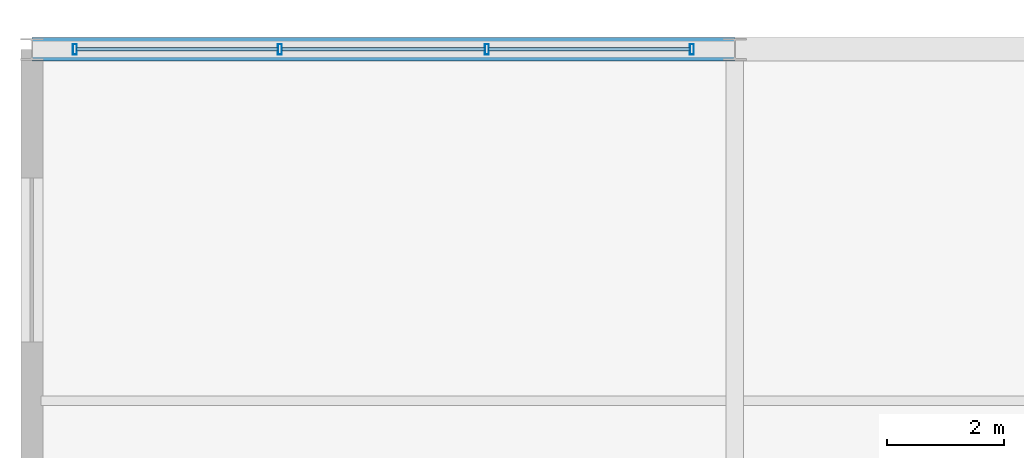
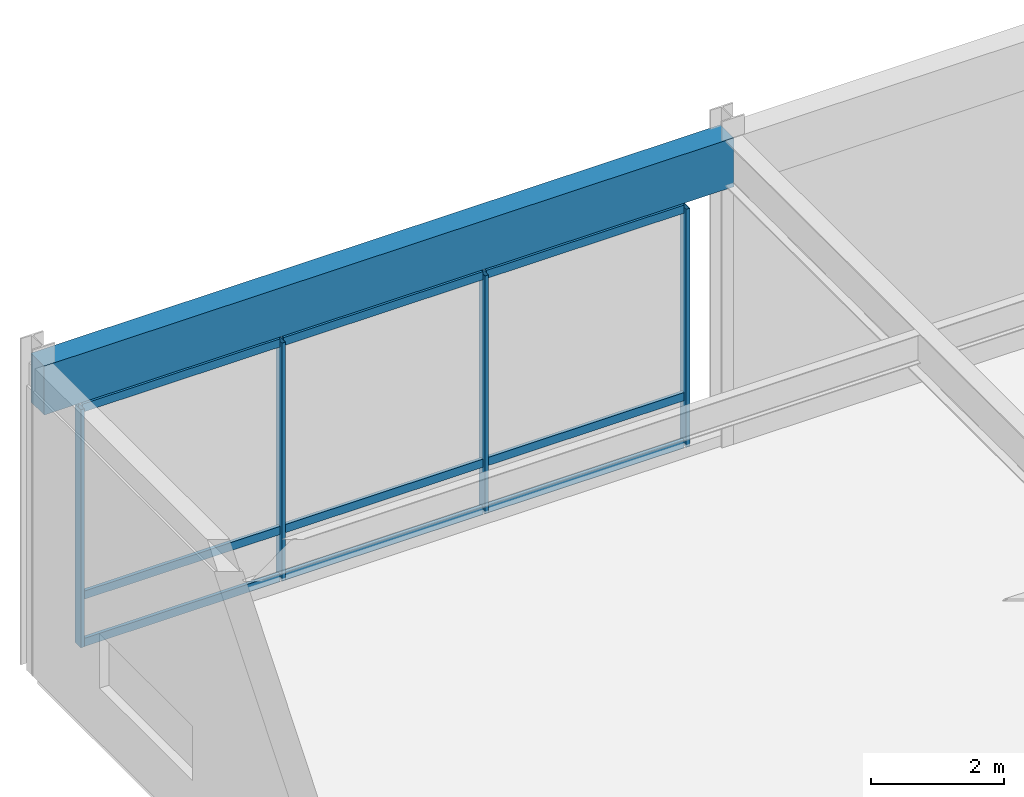
# One storey, part 43 of 108: 13 members, 1 beam, 1 element without a shape of its own.
"""IFC4 building model written with IfcOpenShell, lengths in metres."""

from ifc_helpers import new_model, si_unit, direction, frame, origin, origin_2d, place, context, subcontext, project, spatial, rectangle, hollow_rectangle, extrude, material, material_profile, profile_set, type_object, element, aggregate, save


model = new_model("IFC4")

# Units and contexts
model_context = context("Model", 3, precision=1e-05, world=origin(), true_north=direction((0.0, 1.0)))
body_context = subcontext(model_context, "Body", "Model", "MODEL_VIEW")
ifc_project = project(units=[si_unit("LENGTHUNIT", "METRE"), si_unit("AREAUNIT", "SQUARE_METRE"), si_unit("VOLUMEUNIT", "CUBIC_METRE"), si_unit("PLANEANGLEUNIT", "RADIAN"), si_unit("MASSUNIT", "GRAM", prefix="KILO")], contexts=[model_context])

# Site, building, storey
site_placement = place(None, origin())
site = spatial("IfcSite", under=ifc_project, at=site_placement, CompositionType="ELEMENT")
building_placement = place(site_placement, origin())
building = spatial("IfcBuilding", under=site, at=building_placement, Name="Kaldorvane Square Convention Centre", CompositionType="ELEMENT")
storey_placement = place(building_placement, frame((0.0, 0.0, 12.0)))
storey = spatial("IfcBuildingStorey", under=building, at=storey_placement, Name="L02", CompositionType="ELEMENT", Elevation=12.0)

# Beam
ifc_material_1 = material(Name="Concrete f'c = 42 MPa (Normalweight)", Category="concrete")
ifc_material_profile_1 = material_profile(ifc_material_1, rectangle(XDim=0.399993896484375, YDim=0.899993896484375, at=origin_2d()), Name="RCSP900X400")
ifc_profile_set_1 = profile_set([ifc_material_profile_1], Name="Concrete f'c = 42 MPa (Normalweight)")
beam_type = type_object("IfcBeamType", Name="BM-SP-RC900", PredefinedType="SPANDREL", material=ifc_profile_set_1)
beam_placement = place(storey_placement, frame((0.0, 117.0, 5.1959991455078125), z_axis=(1.0, 0.0, 0.0), x_axis=(0.0, 1.0, 0.0)))
element("IfcBeam", 1, at=beam_placement, inside=storey, type_object=beam_type, Name="Perimeter Spandrel (L02)", PredefinedType="SPANDREL", context=body_context, shape_type="SweptSolid", body=[
    extrude(rectangle(XDim=0.399993896484375, YDim=0.899993896484375, at=origin_2d()), origin(), (0.0, 0.0, 1.0), 12.0),
])

# Curtain wall, members
ifc_material_2 = material(Name="Anodized Aluminum and Low-E Insulated Glazing", Category="aluminium")
curtain_wall_type = type_object("IfcCurtainWallType", Name="CW-UNI-P60-09", PredefinedType="USERDEFINED", material=ifc_material_2)
curtain_wall_placement = place(storey_placement, origin())
curtain_wall = element("IfcCurtainWall", 2, at=curtain_wall_placement, inside=storey, type_object=curtain_wall_type, Name="Curtain Wall CW-02 (L02)", ObjectType="UNITISED GLAZING", PredefinedType="USERDEFINED")
ifc_material_profile_2 = material_profile(ifc_material_2, hollow_rectangle(XDim=0.06500244140625, YDim=0.17999267578125, WallThickness=0.0034942626953125, at=origin_2d()), Name="CWM-180X65")
ifc_profile_set_2 = profile_set([ifc_material_profile_2], Name="Anodized Aluminum and Low-E Insulated Glazing")
member_type_1 = type_object("IfcMemberType", Name="CW-MUL-180", PredefinedType="MULLION", material=ifc_profile_set_2)
member_1_placement = place(storey_placement, frame((11.267501831054688, 117.0, 0.149993896484375), z_axis=(0.0, 0.0, 1.0), x_axis=(-1.0, 0.0, 0.0)))
member_1 = element("IfcMember", 3, at=member_1_placement, type_object=member_type_1, Name="CW-02 mullion 1", PredefinedType="MULLION", context=body_context, shape_type="SweptSolid", body=[
    extrude(hollow_rectangle(XDim=0.06500244140625, YDim=0.17999267578125, WallThickness=0.0034942626953125, at=origin_2d()), origin(), (0.0, 0.0, 1.0), 4.3800048828125),
])
member_2_placement = place(storey_placement, frame((7.76666259765625, 117.0, 0.149993896484375), z_axis=(0.0, 0.0, 1.0), x_axis=(-1.0, 0.0, 0.0)))
member_2 = element("IfcMember", 4, at=member_2_placement, type_object=member_type_1, Name="CW-02 mullion 2", PredefinedType="MULLION", context=body_context, shape_type="SweptSolid", body=[
    extrude(hollow_rectangle(XDim=0.06500244140625, YDim=0.17999267578125, WallThickness=0.0034942626953125, at=origin_2d()), origin(), (0.0, 0.0, 1.0), 4.3800048828125),
])
member_3_placement = place(storey_placement, frame((4.23333740234375, 117.0, 0.149993896484375), z_axis=(0.0, 0.0, 1.0), x_axis=(-1.0, 0.0, 0.0)))
member_3 = element("IfcMember", 5, at=member_3_placement, type_object=member_type_1, Name="CW-02 mullion 3", PredefinedType="MULLION", context=body_context, shape_type="SweptSolid", body=[
    extrude(hollow_rectangle(XDim=0.06500244140625, YDim=0.17999267578125, WallThickness=0.0034942626953125, at=origin_2d()), origin(), (0.0, 0.0, 1.0), 4.3800048828125),
])
member_4_placement = place(storey_placement, frame((0.7324981689453125, 117.0, 0.149993896484375), z_axis=(0.0, 0.0, 1.0), x_axis=(-1.0, 0.0, 0.0)))
member_4 = element("IfcMember", 6, at=member_4_placement, type_object=member_type_1, Name="CW-02 mullion 4", PredefinedType="MULLION", context=body_context, shape_type="SweptSolid", body=[
    extrude(hollow_rectangle(XDim=0.06500244140625, YDim=0.17999267578125, WallThickness=0.0034942626953125, at=origin_2d()), origin(), (0.0, 0.0, 1.0), 4.3800048828125),
])
ifc_material_profile_3 = material_profile(ifc_material_2, hollow_rectangle(XDim=0.05999755859375, YDim=0.149993896484375, WallThickness=0.003204345703125, at=origin_2d()), Name="CWT-150X60")
ifc_profile_set_3 = profile_set([ifc_material_profile_3], Name="Anodized Aluminum and Low-E Insulated Glazing")
member_type_2 = type_object("IfcMemberType", Name="CW-TRN-150", PredefinedType="USERDEFINED", material=ifc_profile_set_3)
member_5_placement = place(storey_placement, frame((11.235000610351562, 117.0, 0.17999267578125), z_axis=(-1.0, 0.0, 0.0), x_axis=(0.0, -1.0, 0.0)))
member_5 = element("IfcMember", 7, at=member_5_placement, type_object=member_type_2, Name="CW-02 transom 1.1", ObjectType="TRANSOM", PredefinedType="USERDEFINED", context=body_context, shape_type="SweptSolid", body=[
    extrude(hollow_rectangle(XDim=0.05999755859375, YDim=0.149993896484375, WallThickness=0.003204345703125, at=origin_2d()), origin(), (0.0, 0.0, 1.0), 3.4358367919921875),
])
member_6_placement = place(storey_placement, frame((11.235000610351562, 117.0, 1.0500030517578125), z_axis=(-1.0, 0.0, 0.0), x_axis=(0.0, -1.0, 0.0)))
member_6 = element("IfcMember", 8, at=member_6_placement, type_object=member_type_2, Name="CW-02 transom 1.2", ObjectType="TRANSOM", PredefinedType="USERDEFINED", context=body_context, shape_type="SweptSolid", body=[
    extrude(hollow_rectangle(XDim=0.05999755859375, YDim=0.149993896484375, WallThickness=0.003204345703125, at=origin_2d()), origin(), (0.0, 0.0, 1.0), 3.4358367919921875),
])
member_7_placement = place(storey_placement, frame((11.235000610351562, 117.0, 4.5), z_axis=(-1.0, 0.0, 0.0), x_axis=(0.0, -1.0, 0.0)))
member_7 = element("IfcMember", 9, at=member_7_placement, type_object=member_type_2, Name="CW-02 transom 1.3", ObjectType="TRANSOM", PredefinedType="USERDEFINED", context=body_context, shape_type="SweptSolid", body=[
    extrude(hollow_rectangle(XDim=0.05999755859375, YDim=0.149993896484375, WallThickness=0.003204345703125, at=origin_2d()), origin(), (0.0, 0.0, 1.0), 3.4358367919921875),
])
member_8_placement = place(storey_placement, frame((7.734161376953125, 117.0, 0.17999267578125), z_axis=(-1.0, 0.0, 0.0), x_axis=(0.0, -1.0, 0.0)))
member_8 = element("IfcMember", 10, at=member_8_placement, type_object=member_type_2, Name="CW-02 transom 2.1", ObjectType="TRANSOM", PredefinedType="USERDEFINED", context=body_context, shape_type="SweptSolid", body=[
    extrude(hollow_rectangle(XDim=0.05999755859375, YDim=0.149993896484375, WallThickness=0.003204345703125, at=origin_2d()), origin(), (0.0, 0.0, 1.0), 3.46832275390625),
])
member_9_placement = place(storey_placement, frame((7.734161376953125, 117.0, 1.0500030517578125), z_axis=(-1.0, 0.0, 0.0), x_axis=(0.0, -1.0, 0.0)))
member_9 = element("IfcMember", 11, at=member_9_placement, type_object=member_type_2, Name="CW-02 transom 2.2", ObjectType="TRANSOM", PredefinedType="USERDEFINED", context=body_context, shape_type="SweptSolid", body=[
    extrude(hollow_rectangle(XDim=0.05999755859375, YDim=0.149993896484375, WallThickness=0.003204345703125, at=origin_2d()), origin(), (0.0, 0.0, 1.0), 3.46832275390625),
])
member_10_placement = place(storey_placement, frame((7.734161376953125, 117.0, 4.5), z_axis=(-1.0, 0.0, 0.0), x_axis=(0.0, -1.0, 0.0)))
member_10 = element("IfcMember", 12, at=member_10_placement, type_object=member_type_2, Name="CW-02 transom 2.3", ObjectType="TRANSOM", PredefinedType="USERDEFINED", context=body_context, shape_type="SweptSolid", body=[
    extrude(hollow_rectangle(XDim=0.05999755859375, YDim=0.149993896484375, WallThickness=0.003204345703125, at=origin_2d()), origin(), (0.0, 0.0, 1.0), 3.46832275390625),
])
member_11_placement = place(storey_placement, frame((4.200836181640625, 117.0, 0.17999267578125), z_axis=(-1.0, 0.0, 0.0), x_axis=(0.0, -1.0, 0.0)))
member_11 = element("IfcMember", 13, at=member_11_placement, type_object=member_type_2, Name="CW-02 transom 3.1", ObjectType="TRANSOM", PredefinedType="USERDEFINED", context=body_context, shape_type="SweptSolid", body=[
    extrude(hollow_rectangle(XDim=0.05999755859375, YDim=0.149993896484375, WallThickness=0.003204345703125, at=origin_2d()), origin(), (0.0, 0.0, 1.0), 3.4358367919921875),
])
member_12_placement = place(storey_placement, frame((4.200836181640625, 117.0, 1.0500030517578125), z_axis=(-1.0, 0.0, 0.0), x_axis=(0.0, -1.0, 0.0)))
member_12 = element("IfcMember", 14, at=member_12_placement, type_object=member_type_2, Name="CW-02 transom 3.2", ObjectType="TRANSOM", PredefinedType="USERDEFINED", context=body_context, shape_type="SweptSolid", body=[
    extrude(hollow_rectangle(XDim=0.05999755859375, YDim=0.149993896484375, WallThickness=0.003204345703125, at=origin_2d()), origin(), (0.0, 0.0, 1.0), 3.4358367919921875),
])
member_13_placement = place(storey_placement, frame((4.200836181640625, 117.0, 4.5), z_axis=(-1.0, 0.0, 0.0), x_axis=(0.0, -1.0, 0.0)))
member_13 = element("IfcMember", 15, at=member_13_placement, type_object=member_type_2, Name="CW-02 transom 3.3", ObjectType="TRANSOM", PredefinedType="USERDEFINED", context=body_context, shape_type="SweptSolid", body=[
    extrude(hollow_rectangle(XDim=0.05999755859375, YDim=0.149993896484375, WallThickness=0.003204345703125, at=origin_2d()), origin(), (0.0, 0.0, 1.0), 3.4358367919921875),
])
aggregate(curtain_wall, [member_1, member_2, member_3, member_4, member_5, member_6, member_7, member_8, member_9, member_10, member_11, member_12, member_13])

save(model, "model.ifc")
